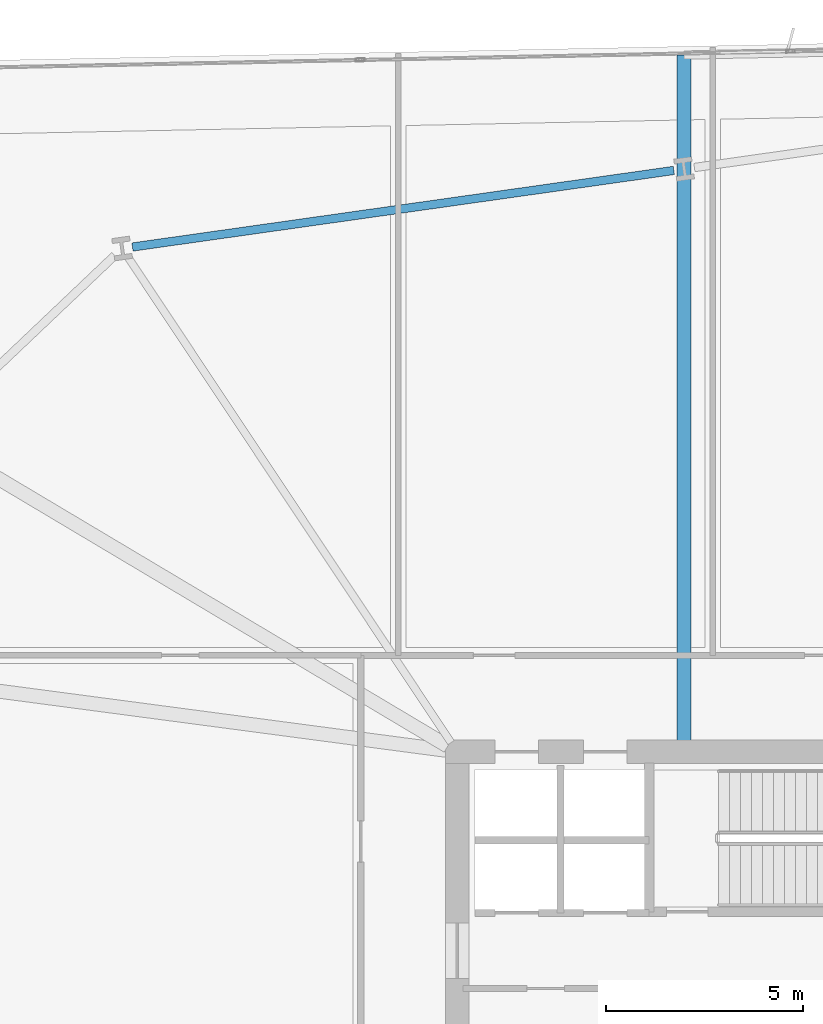
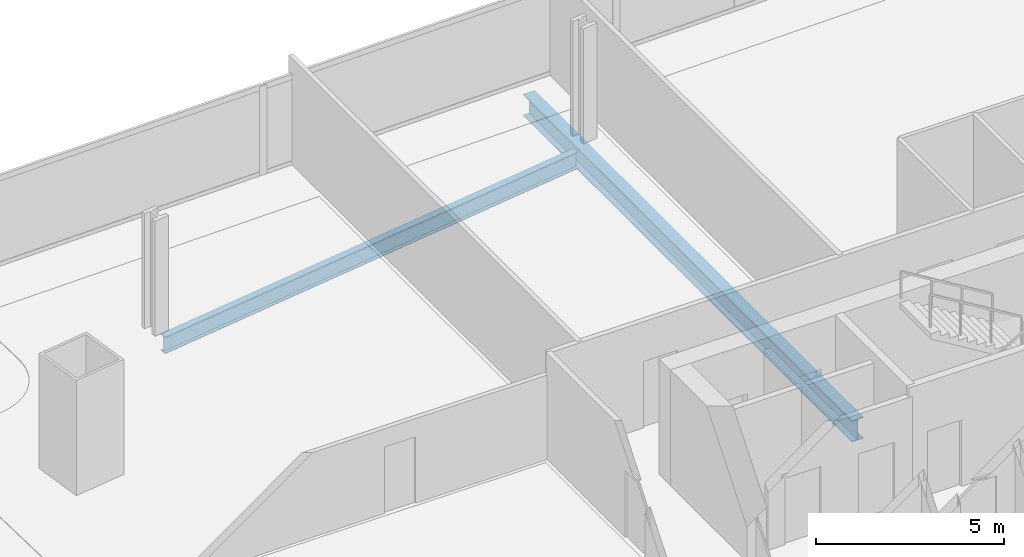
# One storey, part 19 of 35: 2 beams.
"""IFC4 building model written with IfcOpenShell, lengths in metres."""

import ifcopenshell
import ifcopenshell.guid

model = None  # the IFC model being written
_history = None  # IfcOwnerHistory: only IFC2X3 demands one
_inside = {}  # id of a spatial element -> (the spatial element, [elements in it])
_under = {}  # id of a project, library or spatial element -> (it, [spatial elements below it])
_declared = {}  # id of a project -> (the project, [libraries it declares])
_typed = {}  # id of a type object -> (the type object, [elements of that type])
_made_of = {}  # id of a material, layer set ... -> (it, [elements and type objects made of it])


def new_model(schema):
    """Start an empty IFC model of exactly this schema.

    Asked for "IFC4X3", IfcOpenShell would pick the latest addendum, in which some entities
    have other attributes; the version numbers below select the first issue.
    IFC2X3 requires an IfcOwnerHistory on every rooted entity: one is made here for all.
    """
    global model, _history
    if schema == "IFC4X3":
        model = ifcopenshell.file(schema_version=(4, 3, 0, 0))
    else:
        model = ifcopenshell.file(schema=schema)
    _inside.clear()
    _under.clear()
    _declared.clear()
    _typed.clear()
    _made_of.clear()
    _history = None
    if model.schema == "IFC2X3":
        org = make("IfcOrganization", Name="unknown")
        user = make(
            "IfcPersonAndOrganization",
            ThePerson=make("IfcPerson", FamilyName="unknown"),
            TheOrganization=org,
        )
        app = make(
            "IfcApplication",
            ApplicationDeveloper=org,
            Version="unknown",
            ApplicationFullName="unknown",
            ApplicationIdentifier="unknown",
        )
        _history = make(
            "IfcOwnerHistory",
            OwningUser=user,
            OwningApplication=app,
            ChangeAction="ADDED",
            CreationDate=0,
        )
    return model


def make(cls, **values):
    """One entity of the class cls with the attributes given. An attribute that is None is left unset."""
    return model.create_entity(
        cls, **{name: value for name, value in values.items() if value is not None}
    )


def rooted(cls, **values):
    """An entity with a GlobalId (a new one), such as an element, a storey or a relation."""
    return make(cls, GlobalId=ifcopenshell.guid.new(), OwnerHistory=_history, **values)


def si_unit(unit_type, name, prefix=None):
    """IfcSIUnit, for example si_unit("LENGTHUNIT", "METRE", prefix="MILLI")."""
    return make("IfcSIUnit", UnitType=unit_type, Prefix=prefix, Name=name)


def assignment(units):
    """IfcUnitAssignment: the units of a project."""
    return None if units is None else make("IfcUnitAssignment", Units=units)


def point(xyz):
    """IfcCartesianPoint."""
    return None if xyz is None else make("IfcCartesianPoint", Coordinates=xyz)


def direction(xyz):
    """IfcDirection."""
    return None if xyz is None else make("IfcDirection", DirectionRatios=xyz)


def frame(location, z_axis=None, x_axis=None):
    """IfcAxis2Placement3D, a coordinate frame: its origin and axes. An axis left out is left unset."""
    return make(
        "IfcAxis2Placement3D",
        Location=point(location),
        Axis=direction(z_axis),
        RefDirection=direction(x_axis),
    )


def frame_2d(location, x_axis=None):
    """IfcAxis2Placement2D, a coordinate frame in the plane: its origin and x axis."""
    return make(
        "IfcAxis2Placement2D", Location=point(location), RefDirection=direction(x_axis)
    )


def origin():
    """The frame at (0, 0, 0) with its axes left unset."""
    return frame((0.0, 0.0, 0.0))


def origin_2d():
    """The frame at (0, 0) in the plane with its x axis left unset."""
    return frame_2d((0.0, 0.0))


def place(relative_to, where):
    """IfcLocalPlacement: puts the frame where relative to a parent placement (None: the world)."""
    return make(
        "IfcLocalPlacement", PlacementRelTo=relative_to, RelativePlacement=where
    )


def context(
    kind, dimensions, precision=None, world=None, true_north=None, identifier=None
):
    """IfcGeometricRepresentationContext, for example the 3D "Model" context."""
    return make(
        "IfcGeometricRepresentationContext",
        ContextIdentifier=identifier,
        ContextType=kind,
        CoordinateSpaceDimension=dimensions,
        Precision=precision,
        WorldCoordinateSystem=world,
        TrueNorth=true_north,
    )


def subcontext(parent, identifier, kind, view, scale=None):
    """IfcGeometricRepresentationSubContext, for example "Body" below "Model"."""
    return make(
        "IfcGeometricRepresentationSubContext",
        ContextIdentifier=identifier,
        ContextType=kind,
        ParentContext=parent,
        TargetScale=scale,
        TargetView=view,
    )


def project(units=None, contexts=None):
    """IfcProject with its units and contexts."""
    return rooted(
        "IfcProject",
        Name="project",
        RepresentationContexts=contexts,
        UnitsInContext=assignment(units),
    )


def spatial(cls, under=None, at=None, **own):
    """A site, building, storey or space (cls), placed at a placement, below another one or the project."""
    s = rooted(cls, ObjectPlacement=at, **own)
    if under is not None:
        _under.setdefault(under.id(), (under, []))[1].append(s)
    return s


def profile(cls, at=None, kind="AREA", **sizes):
    """A parametric profile (cls). Its sizes go by their IFC names, for example OverallWidth=200.0."""
    return make(cls, ProfileType=kind, Position=at, **sizes)


def i_section(**sizes):
    """IfcIShapeProfileDef."""
    return profile("IfcIShapeProfileDef", **sizes)


def extrude(swept, where, along, depth):
    """IfcExtrudedAreaSolid: the profile swept, set in the frame where, extruded along a direction by depth."""
    return make(
        "IfcExtrudedAreaSolid",
        SweptArea=swept,
        Position=where,
        ExtrudedDirection=direction(along),
        Depth=depth,
    )


def shape(context_of_items, identifier, shape_type, items):
    """IfcShapeRepresentation: the items that make up one representation, for example the "Body"."""
    return make(
        "IfcShapeRepresentation",
        ContextOfItems=context_of_items,
        RepresentationIdentifier=identifier,
        RepresentationType=shape_type,
        Items=items,
    )


def material(Name=None, Category=None):
    """IfcMaterial."""
    return make("IfcMaterial", Name=Name, Category=Category)


def material_profile(
    of_material, cross_section, Name=None, Category=None, Priority=None
):
    """IfcMaterialProfile: a cross section and its material."""
    return make(
        "IfcMaterialProfile",
        Name=Name,
        Material=of_material,
        Profile=cross_section,
        Priority=Priority,
        Category=Category,
    )


def profile_set(profiles, Name=None, composite=None):
    """IfcMaterialProfileSet."""
    return make(
        "IfcMaterialProfileSet",
        Name=Name,
        MaterialProfiles=profiles,
        CompositeProfile=composite,
    )


def made_of(thing, what):
    """Note that an element or type object is made of a material, layer set ...; save() writes the relation."""
    if what is not None:
        _made_of.setdefault(what.id(), (what, []))[1].append(thing)
    return thing


def type_object(cls, material=None, **own):
    """A type object (cls), such as IfcWallType, which elements share."""
    return made_of(rooted(cls, **own), material)


def element(
    cls,
    number,
    at=None,
    inside=None,
    cuts=None,
    type_object=None,
    material=None,
    context=None,
    identifier="Body",
    shape_type=None,
    held_by="IfcProductDefinitionShape",
    body=None,
    shapes=None,
    **own,
):
    """One element of the class cls, such as IfcWall. Its Tag is "e" and its number.

    at: its placement. inside: the storey or other place that contains it. cuts: it is an
    opening in that element (IfcRelVoidsElement). A single representation is given by context,
    identifier, shape_type and body (its items); several are given by shapes. held_by: the class
    of the entity that holds the representations. save() writes the other relations.
    """
    e = rooted(cls, Tag="e%d" % number, ObjectPlacement=at, **own)
    if body is not None:
        shapes = [shape(context, identifier, shape_type, body)]
    if shapes is not None:
        e.Representation = make(held_by, Representations=shapes)
    if inside is not None:
        _inside.setdefault(inside.id(), (inside, []))[1].append(e)
    if cuts is not None:
        rooted(
            "IfcRelVoidsElement", RelatingBuildingElement=cuts, RelatedOpeningElement=e
        )
    if type_object is not None:
        _typed.setdefault(type_object.id(), (type_object, []))[1].append(e)
    return made_of(e, material)


def aggregate(whole, parts):
    """IfcRelAggregates: a whole, such as a stair, and the parts it consists of."""
    return rooted("IfcRelAggregates", RelatingObject=whole, RelatedObjects=parts)


def save(model, path):
    """Write the relations noted so far, then the file.

    IfcRelAggregates (storeys below a building ...), IfcRelContainedInSpatialStructure (elements
    in a storey), IfcRelDefinesByType, IfcRelAssociatesMaterial and IfcRelDeclares: one each for
    every whole, place, type object, material and project.
    """
    for whole, parts in _under.values():
        aggregate(whole, parts)
    for where, things in _inside.values():
        rooted(
            "IfcRelContainedInSpatialStructure",
            RelatedElements=things,
            RelatingStructure=where,
        )
    for kind, things in _typed.values():
        rooted("IfcRelDefinesByType", RelatedObjects=things, RelatingType=kind)
    for what, things in _made_of.values():
        rooted("IfcRelAssociatesMaterial", RelatedObjects=things, RelatingMaterial=what)
    for by, libraries in _declared.values():
        rooted("IfcRelDeclares", RelatingContext=by, RelatedDefinitions=libraries)
    model.write(path)


model = new_model("IFC4")

# Units and contexts
model_context = context("Model", 3, precision=1e-05, world=origin(), true_north=direction((0.0, 1.0)))
body_context = subcontext(model_context, "Body", "Model", "MODEL_VIEW")
ifc_project = project(units=[si_unit("LENGTHUNIT", "METRE"), si_unit("AREAUNIT", "SQUARE_METRE"), si_unit("VOLUMEUNIT", "CUBIC_METRE"), si_unit("PLANEANGLEUNIT", "RADIAN"), si_unit("MASSUNIT", "GRAM", prefix="KILO")], contexts=[model_context])

# Site, building, storey
site_placement = place(None, origin())
site = spatial("IfcSite", under=ifc_project, at=site_placement, CompositionType="ELEMENT")
building_placement = place(site_placement, origin())
building = spatial("IfcBuilding", under=site, at=building_placement, Name="Haldenkirk Collegiate Tower", CompositionType="ELEMENT")
storey_placement = place(building_placement, frame((0.0, 0.0, 32.699951171875)))
storey = spatial("IfcBuildingStorey", under=building, at=storey_placement, Name="L06", CompositionType="ELEMENT", Elevation=32.699951171875)

# Beams
ifc_material = material(Name="Steel ASTM A992 Grade 50", Category="steel")
ifc_material_profile_1 = material_profile(ifc_material, i_section(OverallWidth=0.35498046875, OverallDepth=0.696044921875, WebThickness=0.015380859375, FlangeThickness=0.02490234375, at=origin_2d()), Name="W27X146")
ifc_profile_set_1 = profile_set([ifc_material_profile_1], Name="Steel ASTM A992 Grade 50")
beam_type_1 = type_object("IfcBeamType", Name="BM-GIRDER-W27X146", PredefinedType="BEAM", material=ifc_profile_set_1)
beam_1_placement = place(storey_placement, frame((32.772216796875, 51.720458984375, -0.657958984375), z_axis=(0.0, -1.0, 0.0), x_axis=(1.0, 0.0, 0.0)))
element("IfcBeam", 1, at=beam_1_placement, inside=storey, type_object=beam_type_1, Name="L06 primary floor girder 12", PredefinedType="BEAM", context=body_context, shape_type="SweptSolid", body=[
    extrude(i_section(OverallWidth=0.35498046875, OverallDepth=0.696044921875, WebThickness=0.015380859375, FlangeThickness=0.02490234375, at=origin_2d()), origin(), (0.0, 0.0, 1.0), 17.4404296875),
])
ifc_material_profile_2 = material_profile(ifc_material, i_section(OverallWidth=0.2119140625, OverallDepth=0.5439453125, WebThickness=0.01318359375, FlangeThickness=0.021240234375, at=origin_2d()), Name="W21X83")
ifc_profile_set_2 = profile_set([ifc_material_profile_2], Name="Steel ASTM A992 Grade 50")
beam_type_2 = type_object("IfcBeamType", Name="BM-SPANDREL-W21X83", PredefinedType="SPANDREL", material=ifc_profile_set_2)
beam_2_placement = place(storey_placement, frame((32.51025390625, 48.785888671875, -0.58203125), z_axis=(-0.990146197746, -0.14003752029, 0.0), x_axis=(0.14003752029, -0.990146197746, 0.0)))
element("IfcBeam", 2, at=beam_2_placement, inside=storey, type_object=beam_type_2, Name="L06 perimeter spandrel beam 11", PredefinedType="SPANDREL", context=body_context, shape_type="SweptSolid", body=[
    extrude(i_section(OverallWidth=0.2119140625, OverallDepth=0.5439453125, WebThickness=0.01318359375, FlangeThickness=0.021240234375, at=origin_2d()), origin(), (0.0, 0.0, 1.0), 13.906982421875),
])

save(model, "model.ifc")
